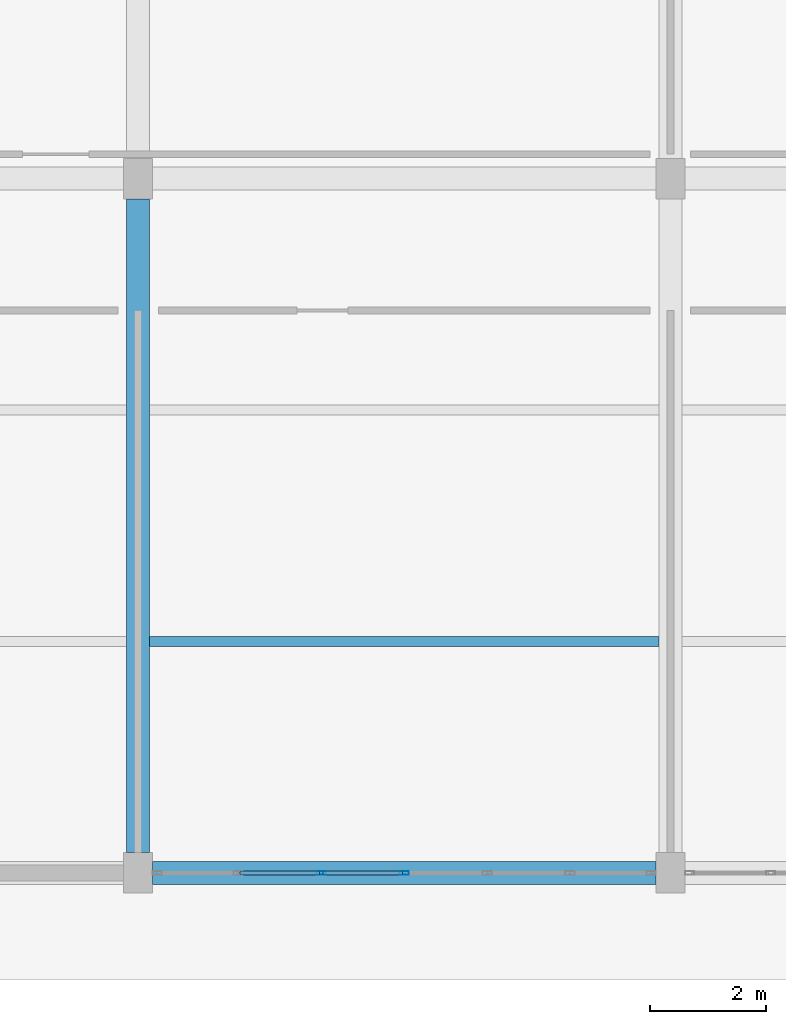
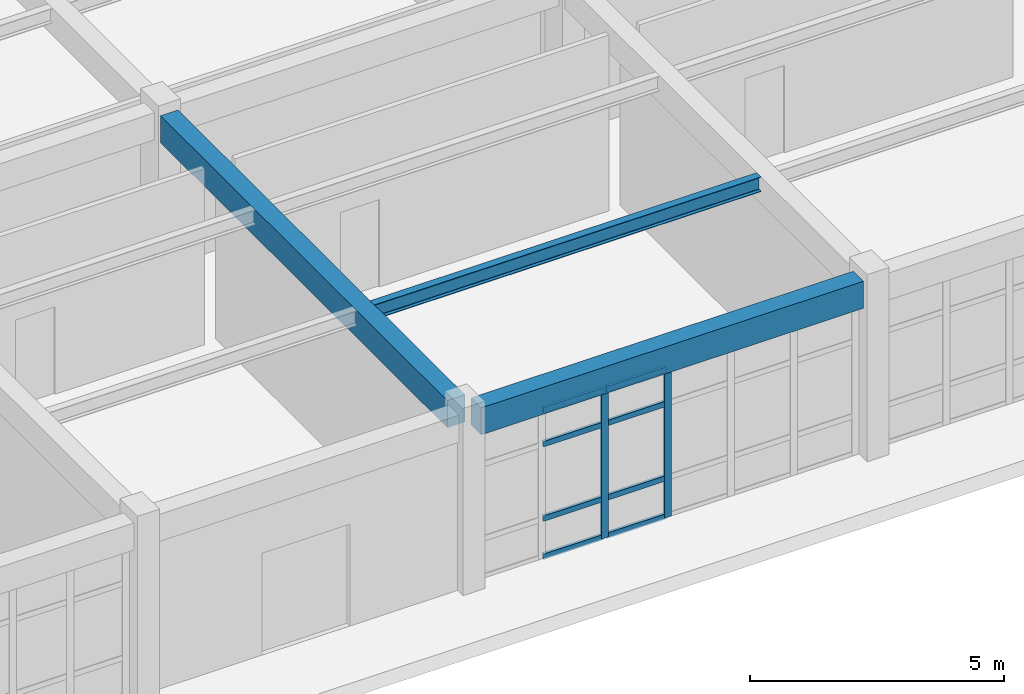
# One storey, part 31 of 154: 10 members, 3 beams, 1 element without a shape of its own.
"""IFC4 building model written with IfcOpenShell, lengths in metres."""

from ifc_helpers import new_model, si_unit, direction, frame, origin, origin_2d, place, context, subcontext, project, spatial, rectangle, hollow_rectangle, i_section, extrude, material, material_profile, profile_set, type_object, element, aggregate, save


model = new_model("IFC4")

# Units and contexts
model_context = context("Model", 3, precision=1e-05, world=origin(), true_north=direction((0.0, 1.0)))
body_context = subcontext(model_context, "Body", "Model", "MODEL_VIEW")
ifc_project = project(units=[si_unit("LENGTHUNIT", "METRE"), si_unit("AREAUNIT", "SQUARE_METRE"), si_unit("VOLUMEUNIT", "CUBIC_METRE"), si_unit("PLANEANGLEUNIT", "RADIAN"), si_unit("MASSUNIT", "GRAM", prefix="KILO")], contexts=[model_context])

# Site, building, storey
site_placement = place(None, origin())
site = spatial("IfcSite", under=ifc_project, at=site_placement, CompositionType="ELEMENT")
building_placement = place(site_placement, origin())
building = spatial("IfcBuilding", under=site, at=building_placement, Name="Kestramere Prow Commons", CompositionType="ELEMENT")
storey_placement = place(building_placement, origin())
storey = spatial("IfcBuildingStorey", under=building, at=storey_placement, Name="L00", CompositionType="ELEMENT", Elevation=0.0)

# Beams
ifc_material_1 = material(Name="Precast concrete C40/50", Category="concrete")
ifc_material_profile_1 = material_profile(ifc_material_1, rectangle(XDim=0.39990234375, YDim=0.64990234375, at=origin_2d()), Name="PC-BM 400x650")
ifc_profile_set_1 = profile_set([ifc_material_profile_1], Name="Precast concrete C40/50")
beam_type_1 = type_object("IfcBeamType", Name="BM-MK-01 PC-BM 400x650", PredefinedType="BEAM", material=ifc_profile_set_1)
beam_1_placement = place(storey_placement, frame((75.800048828125, 0.35009765625, 3.925048828125), z_axis=(0.0, 1.0, 0.0), x_axis=(-1.0, 0.0, 0.0)))
element("IfcBeam", 1, at=beam_1_placement, inside=storey, type_object=beam_type_1, Name="Market Spine L00 Beam Y 3-1", PredefinedType="BEAM", context=body_context, shape_type="SweptSolid", body=[
    extrude(rectangle(XDim=0.39990234375, YDim=0.64990234375, at=origin_2d()), origin(), (0.0, 0.0, 1.0), 11.2998046875),
])
ifc_material_profile_2 = material_profile(ifc_material_1, rectangle(XDim=0.39990234375, YDim=0.64990234375, at=origin_2d()), Name="PC-BM 400x650")
ifc_profile_set_2 = profile_set([ifc_material_profile_2], Name="Precast concrete C40/50")
beam_type_2 = type_object("IfcBeamType", Name="BM-MK-01 PC-BM 400x650 (EX)", PredefinedType="BEAM", material=ifc_profile_set_2)
beam_2_placement = place(storey_placement, frame((76.050048828125, 0.0, 3.925048828125), z_axis=(1.0, 0.0, 0.0), x_axis=(0.0, 1.0, 0.0)))
element("IfcBeam", 2, at=beam_2_placement, inside=storey, type_object=beam_type_2, Name="Market Spine L00 Beam X 1-3", PredefinedType="BEAM", context=body_context, shape_type="SweptSolid", body=[
    extrude(rectangle(XDim=0.39990234375, YDim=0.64990234375, at=origin_2d()), origin(), (0.0, 0.0, 1.0), 8.699951171875),
])

# Curtain wall, members
ifc_material_2 = material(Name="Anodised Aluminium and Low-E Glass", Category="aluminium")
curtain_wall_type = type_object("IfcCurtainWallType", Name="CW-21 Glazed Curtain Wall 8600x3590", PredefinedType="USERDEFINED", material=ifc_material_2)
curtain_wall_placement = place(storey_placement, origin())
curtain_wall = element("IfcCurtainWall", 3, at=curtain_wall_placement, inside=storey, type_object=curtain_wall_type, Name="Market L00 South Shopfront 3", ObjectType="GLAZED CURTAIN WALL", PredefinedType="USERDEFINED")
ifc_material_3 = material(Name="Anodised Aluminium 6063-T6", Category="aluminium")
ifc_material_profile_3 = material_profile(ifc_material_3, hollow_rectangle(XDim=0.06494140625, YDim=0.159912109375, WallThickness=0.00390625, at=origin_2d()), Name="ALU-MUL 65x160")
ifc_profile_set_3 = profile_set([ifc_material_profile_3], Name="Anodised Aluminium 6063-T6")
member_type_1 = type_object("IfcMemberType", Name="CW-MUL-65x160", PredefinedType="MULLION", material=ifc_profile_set_3)
member_1_placement = place(storey_placement, frame((80.39990234375, 0.0, 0.0), z_axis=(0.0, 0.0, 1.0), x_axis=(0.0, -1.0, 0.0)))
member_1 = element("IfcMember", 4, at=member_1_placement, type_object=member_type_1, Name="CW-21 mullion 4", PredefinedType="MULLION", context=body_context, shape_type="SweptSolid", body=[
    extrude(hollow_rectangle(XDim=0.06494140625, YDim=0.159912109375, WallThickness=0.00390625, at=origin_2d()), origin(), (0.0, 0.0, 1.0), 3.590087890625),
])
member_2_placement = place(storey_placement, frame((78.966552734375, 0.0, 0.0), z_axis=(0.0, 0.0, 1.0), x_axis=(0.0, -1.0, 0.0)))
member_2 = element("IfcMember", 5, at=member_2_placement, type_object=member_type_1, Name="CW-21 mullion 5", PredefinedType="MULLION", context=body_context, shape_type="SweptSolid", body=[
    extrude(hollow_rectangle(XDim=0.06494140625, YDim=0.159912109375, WallThickness=0.00390625, at=origin_2d()), origin(), (0.0, 0.0, 1.0), 3.590087890625),
])
ifc_material_profile_4 = material_profile(ifc_material_3, hollow_rectangle(XDim=0.06494140625, YDim=0.1298828125, WallThickness=0.00390625, at=origin_2d()), Name="ALU-TRN 65x130")
ifc_profile_set_4 = profile_set([ifc_material_profile_4], Name="Anodised Aluminium 6063-T6")
member_type_2 = type_object("IfcMemberType", Name="CW-TRN-65x130", PredefinedType="USERDEFINED", material=ifc_profile_set_4)
member_3_placement = place(storey_placement, frame((80.367431640625, 0.0, 0.032470703125), z_axis=(-1.0, 0.0, 0.0), x_axis=(0.0, -1.0, 0.0)))
member_3 = element("IfcMember", 6, at=member_3_placement, type_object=member_type_2, Name="CW-21 transom 4.1", ObjectType="TRANSOM", PredefinedType="USERDEFINED", context=body_context, shape_type="SweptSolid", body=[
    extrude(hollow_rectangle(XDim=0.06494140625, YDim=0.1298828125, WallThickness=0.00390625, at=origin_2d()), origin(), (0.0, 0.0, 1.0), 1.3681640625),
])
member_4_placement = place(storey_placement, frame((80.367431640625, 0.0, 0.949951171875), z_axis=(-1.0, 0.0, 0.0), x_axis=(0.0, -1.0, 0.0)))
member_4 = element("IfcMember", 7, at=member_4_placement, type_object=member_type_2, Name="CW-21 transom 4.2", ObjectType="TRANSOM", PredefinedType="USERDEFINED", context=body_context, shape_type="SweptSolid", body=[
    extrude(hollow_rectangle(XDim=0.06494140625, YDim=0.1298828125, WallThickness=0.00390625, at=origin_2d()), origin(), (0.0, 0.0, 1.0), 1.3681640625),
])
member_5_placement = place(storey_placement, frame((80.367431640625, 0.0, 2.739990234375), z_axis=(-1.0, 0.0, 0.0), x_axis=(0.0, -1.0, 0.0)))
member_5 = element("IfcMember", 8, at=member_5_placement, type_object=member_type_2, Name="CW-21 transom 4.3", ObjectType="TRANSOM", PredefinedType="USERDEFINED", context=body_context, shape_type="SweptSolid", body=[
    extrude(hollow_rectangle(XDim=0.06494140625, YDim=0.1298828125, WallThickness=0.00390625, at=origin_2d()), origin(), (0.0, 0.0, 1.0), 1.3681640625),
])
member_6_placement = place(storey_placement, frame((80.367431640625, 0.0, 3.5576171875), z_axis=(-1.0, 0.0, 0.0), x_axis=(0.0, -1.0, 0.0)))
member_6 = element("IfcMember", 9, at=member_6_placement, type_object=member_type_2, Name="CW-21 transom 4.4", ObjectType="TRANSOM", PredefinedType="USERDEFINED", context=body_context, shape_type="SweptSolid", body=[
    extrude(hollow_rectangle(XDim=0.06494140625, YDim=0.1298828125, WallThickness=0.00390625, at=origin_2d()), origin(), (0.0, 0.0, 1.0), 1.3681640625),
])
member_7_placement = place(storey_placement, frame((78.93408203125, 0.0, 0.032470703125), z_axis=(-1.0, 0.0, 0.0), x_axis=(0.0, -1.0, 0.0)))
member_7 = element("IfcMember", 10, at=member_7_placement, type_object=member_type_2, Name="CW-21 transom 5.1", ObjectType="TRANSOM", PredefinedType="USERDEFINED", context=body_context, shape_type="SweptSolid", body=[
    extrude(hollow_rectangle(XDim=0.06494140625, YDim=0.1298828125, WallThickness=0.00390625, at=origin_2d()), origin(), (0.0, 0.0, 1.0), 1.3681640625),
])
member_8_placement = place(storey_placement, frame((78.93408203125, 0.0, 0.949951171875), z_axis=(-1.0, 0.0, 0.0), x_axis=(0.0, -1.0, 0.0)))
member_8 = element("IfcMember", 11, at=member_8_placement, type_object=member_type_2, Name="CW-21 transom 5.2", ObjectType="TRANSOM", PredefinedType="USERDEFINED", context=body_context, shape_type="SweptSolid", body=[
    extrude(hollow_rectangle(XDim=0.06494140625, YDim=0.1298828125, WallThickness=0.00390625, at=origin_2d()), origin(), (0.0, 0.0, 1.0), 1.3681640625),
])
member_9_placement = place(storey_placement, frame((78.93408203125, 0.0, 2.739990234375), z_axis=(-1.0, 0.0, 0.0), x_axis=(0.0, -1.0, 0.0)))
member_9 = element("IfcMember", 12, at=member_9_placement, type_object=member_type_2, Name="CW-21 transom 5.3", ObjectType="TRANSOM", PredefinedType="USERDEFINED", context=body_context, shape_type="SweptSolid", body=[
    extrude(hollow_rectangle(XDim=0.06494140625, YDim=0.1298828125, WallThickness=0.00390625, at=origin_2d()), origin(), (0.0, 0.0, 1.0), 1.3681640625),
])
member_10_placement = place(storey_placement, frame((78.93408203125, 0.0, 3.5576171875), z_axis=(-1.0, 0.0, 0.0), x_axis=(0.0, -1.0, 0.0)))
member_10 = element("IfcMember", 13, at=member_10_placement, type_object=member_type_2, Name="CW-21 transom 5.4", ObjectType="TRANSOM", PredefinedType="USERDEFINED", context=body_context, shape_type="SweptSolid", body=[
    extrude(hollow_rectangle(XDim=0.06494140625, YDim=0.1298828125, WallThickness=0.00390625, at=origin_2d()), origin(), (0.0, 0.0, 1.0), 1.3681640625),
])
aggregate(curtain_wall, [member_1, member_2, member_3, member_4, member_5, member_6, member_7, member_8, member_9, member_10])

# Beam
ifc_material_4 = material(Name="Steel S355JR", Category="steel")
ifc_material_profile_5 = material_profile(ifc_material_4, i_section(OverallWidth=0.17138671875, OverallDepth=0.35498046875, WebThickness=0.00732421875, FlangeThickness=0.011474609375, FilletRadius=0.01025390625, at=origin_2d()), Name="UB 356x171x51")
ifc_profile_set_5 = profile_set([ifc_material_profile_5], Name="Steel S355JR")
beam_type_3 = type_object("IfcBeamType", Name="JST-MK-01 UB 356x171x51", PredefinedType="JOIST", material=ifc_profile_set_5)
beam_3_placement = place(storey_placement, frame((76.0, 4.0, 4.072509765625), z_axis=(1.0, 0.0, 0.0), x_axis=(0.0, 1.0, 0.0)))
element("IfcBeam", 14, at=beam_3_placement, inside=storey, type_object=beam_type_3, Name="Market Spine L00 Secondary Joist 3-4", PredefinedType="JOIST", context=body_context, shape_type="SweptSolid", body=[
    extrude(i_section(OverallWidth=0.17138671875, OverallDepth=0.35498046875, WebThickness=0.00732421875, FlangeThickness=0.011474609375, FilletRadius=0.01025390625, at=origin_2d()), origin(), (0.0, 0.0, 1.0), 8.800048828125),
])

save(model, "model.ifc")
